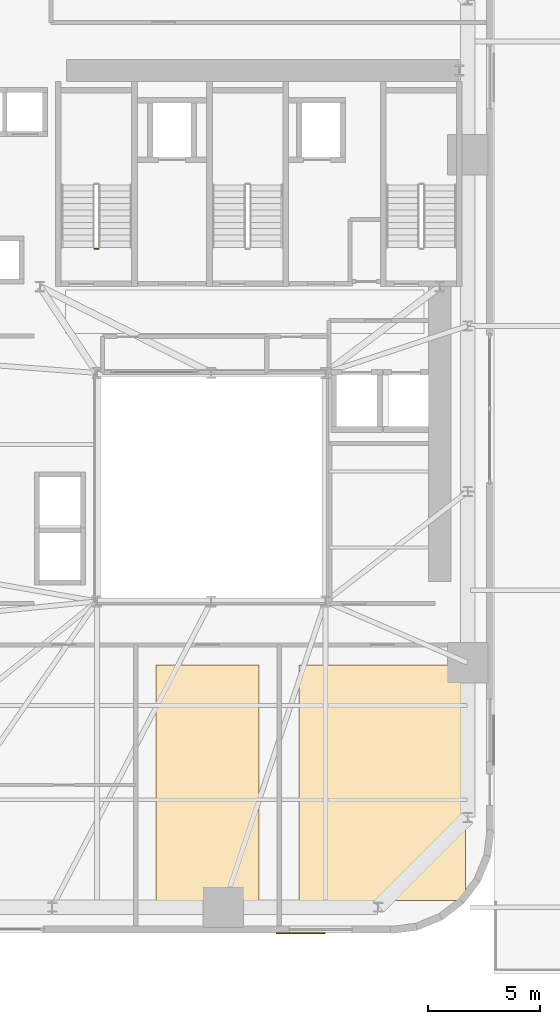
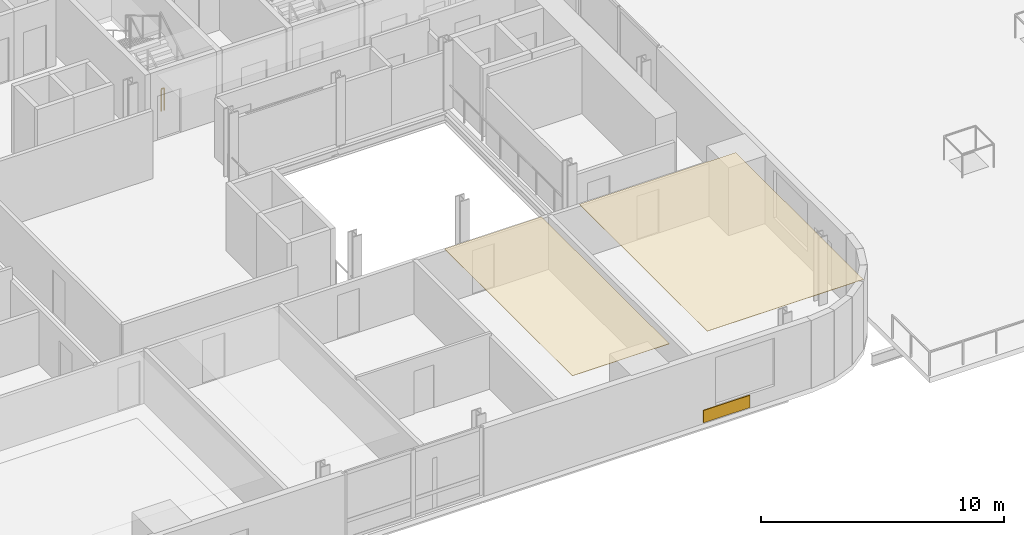
# One storey, part 14 of 18: 3 coverings, 1 railing.
"""IFC4 building model written with IfcOpenShell, lengths in metres."""

from ifc_helpers import new_model, si_unit, direction, frame, origin, origin_2d, place, context, subcontext, project, spatial, polyline, rectangle, outline, extrude, source, transform, mapped, material, layer, layer_set, type_object, element, save


model = new_model("IFC4")

# Units and contexts
model_context = context("Model", 3, precision=1e-05, world=origin(), true_north=direction((0.0, 1.0)))
body_context = subcontext(model_context, "Body", "Model", "MODEL_VIEW")
ifc_project = project(units=[si_unit("LENGTHUNIT", "METRE"), si_unit("AREAUNIT", "SQUARE_METRE"), si_unit("VOLUMEUNIT", "CUBIC_METRE"), si_unit("PLANEANGLEUNIT", "RADIAN"), si_unit("MASSUNIT", "GRAM", prefix="KILO")], contexts=[model_context])

# Site, building, storey
site_placement = place(None, origin())
site = spatial("IfcSite", under=ifc_project, at=site_placement, CompositionType="ELEMENT")
building_placement = place(site_placement, origin())
building = spatial("IfcBuilding", under=site, at=building_placement, Name="Vardaveli Station Tower", CompositionType="ELEMENT")
storey_placement = place(building_placement, frame((0.0, 0.0, 27.60009765625)))
storey = spatial("IfcBuildingStorey", under=building, at=storey_placement, Name="L06", CompositionType="ELEMENT", Elevation=27.60009765625)

# Coverings
ifc_material_1 = material(Name="Perforated acoustic mineral ceiling")
ifc_layer_1 = layer(ifc_material_1, 0.02001953125, Name="Perforated acoustic mineral ceiling")
ifc_layer_set_1 = layer_set([ifc_layer_1], Name="Perforated acoustic mineral ceiling")
covering_type_1 = type_object("IfcCoveringType", Name="COV-CEIL-AC20", PredefinedType="CEILING", material=ifc_layer_set_1)
covering_1_placement = place(storey_placement, frame((0.0, 0.0, 3.39501953125)))
element("IfcCovering", 1, at=covering_1_placement, inside=storey, type_object=covering_type_1, Name="CEIL-L06-3", PredefinedType="CEILING", context=body_context, shape_type="SweptSolid", body=[
    extrude(outline(polyline([(33.82666015625, 3.25), (38.429931640625, 3.25), (38.429931640625, 13.760009765625), (33.82666015625, 13.760009765625), (33.82666015625, 3.25)])), origin(), (0.0, 0.0, 1.0), 0.019775390625),
])
covering_2_placement = place(storey_placement, frame((0.0, 0.0, 3.39501953125)))
element("IfcCovering", 2, at=covering_2_placement, inside=storey, type_object=covering_type_1, Name="CEIL-L06-4", PredefinedType="CEILING", context=body_context, shape_type="SweptSolid", body=[
    extrude(outline(polyline([(40.22998046875, 3.25), (47.64990234375, 3.25), (47.64990234375, 13.760009765625), (40.22998046875, 13.760009765625), (40.22998046875, 3.25)])), origin(), (0.0, 0.0, 1.0), 0.019775390625),
])
ifc_material_2 = material(Name="Ventilated honed travertine stone cladding", Category="masonry")
ifc_layer_2 = layer(ifc_material_2, 0.044921875, Name="Ventilated honed travertine stone cladding")
ifc_layer_set_2 = layer_set([ifc_layer_2], Name="Ventilated honed travertine stone cladding")
covering_type_2 = type_object("IfcCoveringType", Name="COV-CLAD-TR45", PredefinedType="CLADDING", material=ifc_layer_set_2)
shared_shape_1 = source(origin(), body_context, "Body", "SweptSolid", [
    extrude(rectangle(XDim=2.199951171875, YDim=0.044921875, at=origin_2d()), origin(), (0.0, 0.0, 1.0), 0.6201171875),
])
covering_3_placement = place(storey_placement, frame((40.294921875, 1.785400390625, 0.06982421875), z_axis=(0.0, 0.0, 1.0), x_axis=(1.0, 0.0, 0.0)))
element("IfcCovering", 3, at=covering_3_placement, inside=storey, type_object=covering_type_2, Name="CLD-TR-L06-S", PredefinedType="CLADDING", context=body_context, shape_type="MappedRepresentation", body=[
    mapped(shared_shape_1, transform((0.0, 0.0, 0.0), scale=1.0)),
])

# Railing
ifc_material_3 = material(Name="Brushed AISI 316 stainless steel", Category="steel")
railing_type = type_object("IfcRailingType", Name="RL-GUARD-1150", PredefinedType="GUARDRAIL", material=ifc_material_3)
shared_shape_2 = source(origin(), body_context, "Body", "SweptSolid", [
    extrude(rectangle(XDim=0.048095703125, YDim=0.048095703125, at=origin_2d()), frame((0.0, 0.0, 1.1259765625), z_axis=(-1.0, 0.0, 0.0), x_axis=(0.0, -1.0, 0.0)), (0.0, 0.0, 1.0), 0.14990234375),
    extrude(rectangle(XDim=0.0419921875, YDim=0.0419921875, at=origin_2d()), origin(), (0.0, 0.0, 1.0), 1.101806640625),
    extrude(rectangle(XDim=0.0419921875, YDim=0.0419921875, at=origin_2d()), frame((-0.14990234375, 0.0, 0.0)), (0.0, 0.0, 1.0), 1.101806640625),
])
railing_placement = place(storey_placement, frame((31.25, 32.35009765625, 0.0)))
element("IfcRailing", 4, at=railing_placement, inside=storey, type_object=railing_type, Name="L06 ST-1 stair guard 4", PredefinedType="GUARDRAIL", context=body_context, shape_type="MappedRepresentation", body=[
    mapped(shared_shape_2, transform((0.0, 0.0, 0.0), scale=1.0)),
])

save(model, "model.ifc")
